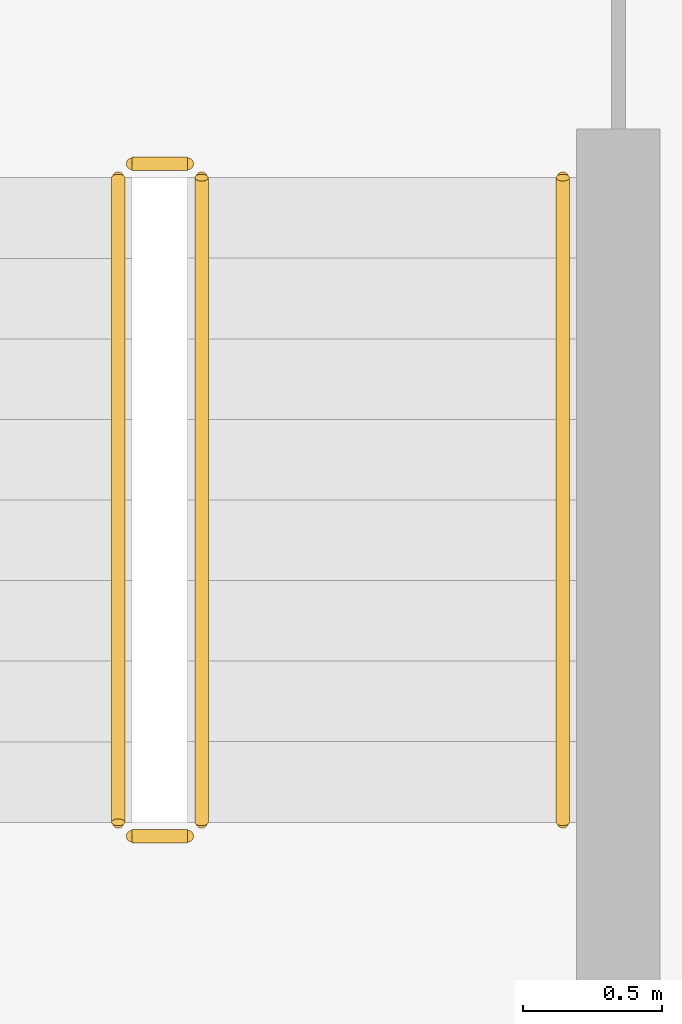
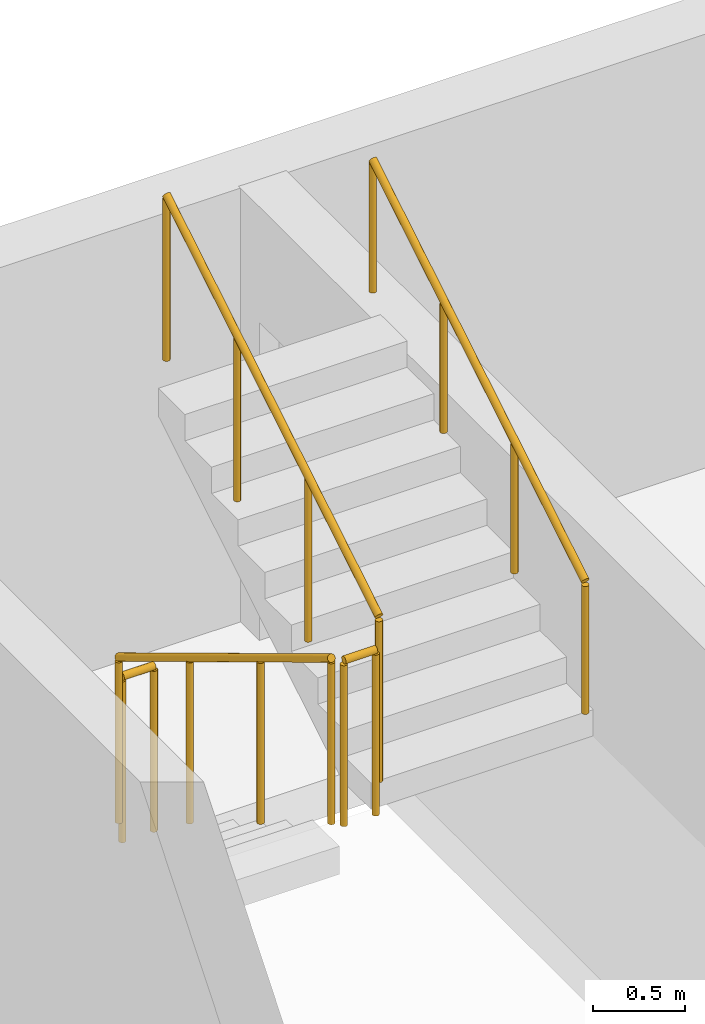
# One storey, part 32 of 34: 5 railings.
"""IFC4 building model written with IfcOpenShell, lengths in metres."""

from ifc_helpers import new_model, si_unit, derived_unit, direction, frame, origin, origin_2d, place, context, subcontext, project, spatial, circle, extrude, material, type_object, element, save


model = new_model("IFC4")

# Units and contexts
model_context = context("Model", 3, precision=1e-05, world=origin(), true_north=direction((0.0, 1.0)))
body_context = subcontext(model_context, "Body", "Model", "MODEL_VIEW")
ifc_project = project(units=[si_unit("LENGTHUNIT", "METRE"), si_unit("AREAUNIT", "SQUARE_METRE"), si_unit("VOLUMEUNIT", "CUBIC_METRE"), si_unit("PLANEANGLEUNIT", "RADIAN"), si_unit("MASSUNIT", "GRAM", prefix="KILO"), derived_unit("THERMALTRANSMITTANCEUNIT", [(si_unit("MASSUNIT", "GRAM", prefix="KILO"), 1), (si_unit("TIMEUNIT", "SECOND"), -3), (si_unit("THERMODYNAMICTEMPERATUREUNIT", "KELVIN"), -1)])], contexts=[model_context])

# Site, building, storey
site_placement = place(None, origin())
site = spatial("IfcSite", under=ifc_project, at=site_placement, CompositionType="ELEMENT")
building_placement = place(site_placement, origin())
building = spatial("IfcBuilding", under=site, at=building_placement, Name="Ochrekiln Boulevard Commons", CompositionType="ELEMENT")
storey_placement = place(building_placement, frame((0.0, 0.0, 27.824951171875)))
storey = spatial("IfcBuildingStorey", under=building, at=storey_placement, Name="L08", CompositionType="ELEMENT", Elevation=27.824951171875)

# Railings
ifc_material = material(Name="Brushed stainless steel 316 tubular railing", Category="steel")
railing_type_1 = type_object("IfcRailingType", Name="RLG-HDR-900", PredefinedType="HANDRAIL", material=ifc_material)
railing_1_placement = place(storey_placement, frame((160.550048828125, 114.610107421875, 1.75)))
element("IfcRailing", 1, at=railing_1_placement, inside=storey, type_object=railing_type_1, Name="L08 ST-B2 stair handrail 2", PredefinedType="HANDRAIL", context=body_context, shape_type="SweptSolid", body=[
    extrude(circle(Radius=0.02392578125, at=origin_2d()), frame((0.0, 0.0, 0.8759765625), z_axis=(0.0, 0.856146426353, 0.516733293531), x_axis=(-1.0, 0.0, 0.0)), (0.0, 0.0, 1.0), 2.709716796875),
    extrude(circle(Radius=0.02099609375, at=origin_2d()), origin(), (0.0, 0.0, 1.0), 0.851806640625),
    extrude(circle(Radius=0.02099609375, at=origin_2d()), frame((0.0, 0.773193359375, 0.466796875)), (0.0, 0.0, 1.0), 0.851806640625),
    extrude(circle(Radius=0.02099609375, at=origin_2d()), frame((0.0, 1.546630859375, 0.933349609375)), (0.0, 0.0, 1.0), 0.851806640625),
    extrude(circle(Radius=0.02099609375, at=origin_2d()), frame((0.0, 2.31982421875, 1.400146484375)), (0.0, 0.0, 1.0), 0.851806640625),
])
railing_type_2 = type_object("IfcRailingType", Name="RLG-STR-1120", PredefinedType="BALUSTRADE", material=ifc_material)
railing_2_placement = place(storey_placement, frame((158.949951171875, 116.929931640625, 0.175048828125)))
element("IfcRailing", 2, at=railing_2_placement, inside=storey, type_object=railing_type_2, Name="L08 ST-B2 stair guard 1", PredefinedType="BALUSTRADE", context=body_context, shape_type="SweptSolid", body=[
    extrude(circle(Radius=0.02392578125, at=origin_2d()), frame((0.0, 0.0, 1.09619140625), z_axis=(0.0, -0.856186286599, 0.516667245565), x_axis=(1.0, 0.0, 0.0)), (0.0, 0.0, 1.0), 2.70947265625),
    extrude(circle(Radius=0.02099609375, at=origin_2d()), origin(), (0.0, 0.0, 1.0), 1.072021484375),
    extrude(circle(Radius=0.02099609375, at=origin_2d()), frame((0.0, -0.773193359375, 0.466552734375)), (0.0, 0.0, 1.0), 1.072021484375),
    extrude(circle(Radius=0.02099609375, at=origin_2d()), frame((0.0, -1.546630859375, 0.933349609375)), (0.0, 0.0, 1.0), 1.072021484375),
    extrude(circle(Radius=0.02099609375, at=origin_2d()), frame((0.0, -2.31982421875, 1.39990234375)), (0.0, 0.0, 1.0), 1.072021484375),
])
railing_3_placement = place(storey_placement, frame((159.0, 114.56005859375, 1.574951171875)))
element("IfcRailing", 3, at=railing_3_placement, inside=storey, type_object=railing_type_2, Name="L08 ST-B2 stair guard 2", PredefinedType="BALUSTRADE", context=body_context, shape_type="SweptSolid", body=[
    extrude(circle(Radius=0.02392578125, at=origin_2d()), frame((0.0, 0.0, 1.09619140625), z_axis=(1.0, 0.0, 0.0), x_axis=(0.0, 1.0, 0.0)), (0.0, 0.0, 1.0), 0.199951171875),
    extrude(circle(Radius=0.02099609375, at=origin_2d()), origin(), (0.0, 0.0, 1.0), 1.072021484375),
    extrude(circle(Radius=0.02099609375, at=origin_2d()), frame((0.199951171875, 0.0, 0.0)), (0.0, 0.0, 1.0), 1.072021484375),
])
railing_4_placement = place(storey_placement, frame((159.25, 114.610107421875, 1.75)))
element("IfcRailing", 4, at=railing_4_placement, inside=storey, type_object=railing_type_2, Name="L08 ST-B2 stair guard 3", PredefinedType="BALUSTRADE", context=body_context, shape_type="SweptSolid", body=[
    extrude(circle(Radius=0.02392578125, at=origin_2d()), frame((0.0, 0.0, 1.09619140625), z_axis=(0.0, 0.856146426353, 0.516733293531), x_axis=(-1.0, 0.0, 0.0)), (0.0, 0.0, 1.0), 2.709716796875),
    extrude(circle(Radius=0.02099609375, at=origin_2d()), origin(), (0.0, 0.0, 1.0), 1.072021484375),
    extrude(circle(Radius=0.02099609375, at=origin_2d()), frame((0.0, 0.773193359375, 0.466796875)), (0.0, 0.0, 1.0), 1.072021484375),
    extrude(circle(Radius=0.02099609375, at=origin_2d()), frame((0.0, 1.546630859375, 0.933349609375)), (0.0, 0.0, 1.0), 1.072021484375),
    extrude(circle(Radius=0.02099609375, at=origin_2d()), frame((0.0, 2.31982421875, 1.400146484375)), (0.0, 0.0, 1.0), 1.072021484375),
])
railing_5_placement = place(storey_placement, frame((159.0, 116.97998046875, 0.0)))
element("IfcRailing", 5, at=railing_5_placement, inside=storey, type_object=railing_type_2, Name="L08 ST-B2 stair guard 4", PredefinedType="BALUSTRADE", context=body_context, shape_type="SweptSolid", body=[
    extrude(circle(Radius=0.02392578125, at=origin_2d()), frame((0.0, 0.0, 1.09619140625), z_axis=(1.0, 0.0, 0.0), x_axis=(0.0, 1.0, 0.0)), (0.0, 0.0, 1.0), 0.199951171875),
    extrude(circle(Radius=0.02099609375, at=origin_2d()), origin(), (0.0, 0.0, 1.0), 1.072021484375),
    extrude(circle(Radius=0.02099609375, at=origin_2d()), frame((0.199951171875, 0.0, 0.0)), (0.0, 0.0, 1.0), 1.072021484375),
])

save(model, "model.ifc")
